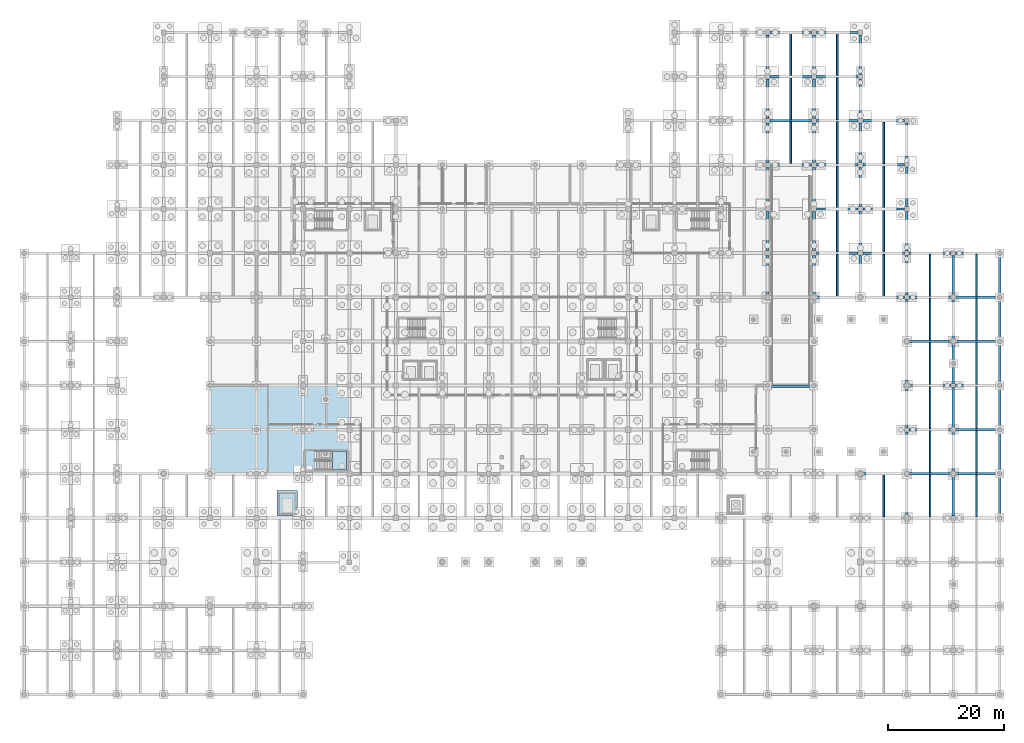
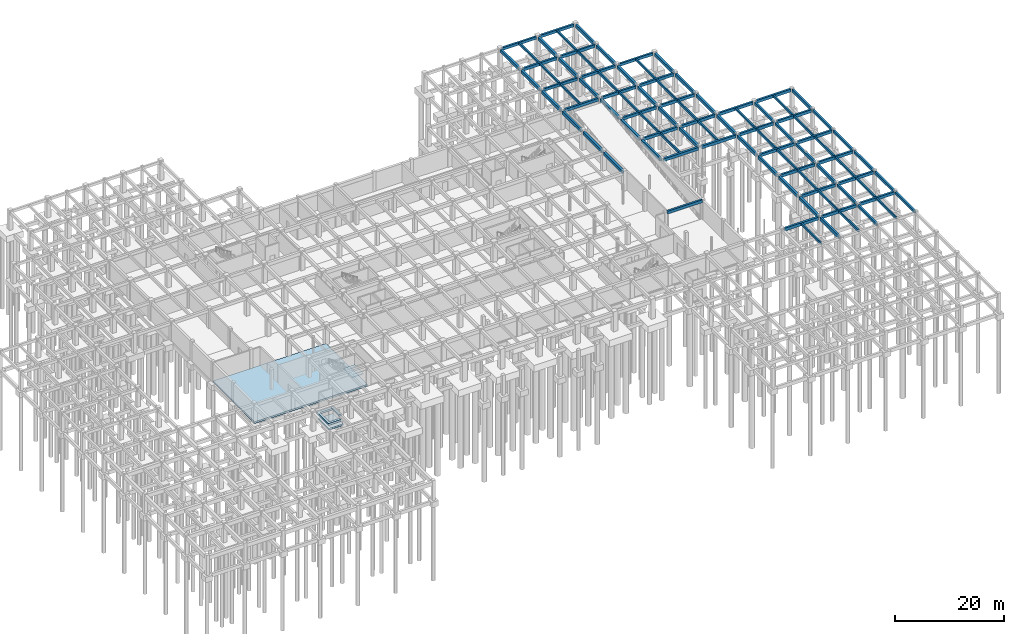
# One storey, part 32 of 49: 95 beams, 4 slabs, 1 element without a shape of its own.
"""IFC4 building model written with IfcOpenShell, lengths in metres."""

from ifc_helpers import new_model, si_unit, direction, frame, origin, origin_2d, place, context, subcontext, project, spatial, polyline, rectangle, outline, extrude, material, layer, layer_set, material_profile, profile_set, type_object, element, aggregate, save


model = new_model("IFC4")

# Units and contexts
model_context = context("Model", 3, precision=1e-05, world=origin(), true_north=direction((0.0, 1.0)))
body_context = subcontext(model_context, "Body", "Model", "MODEL_VIEW")
ifc_project = project(units=[si_unit("LENGTHUNIT", "METRE"), si_unit("AREAUNIT", "SQUARE_METRE"), si_unit("VOLUMEUNIT", "CUBIC_METRE"), si_unit("PLANEANGLEUNIT", "RADIAN"), si_unit("MASSUNIT", "GRAM", prefix="KILO")], contexts=[model_context])

# Site, building, storey
site_placement = place(None, origin())
site = spatial("IfcSite", under=ifc_project, at=site_placement, CompositionType="ELEMENT")
building_placement = place(site_placement, origin())
building = spatial("IfcBuilding", under=site, at=building_placement, Name="Zantavel Square City Hall", CompositionType="ELEMENT")
storey_placement = place(building_placement, frame((0.0, 0.0, -4.5)))
storey = spatial("IfcBuildingStorey", under=building, at=storey_placement, Name="B1", CompositionType="ELEMENT", Elevation=-4.5)

# Beams
ifc_material = material(Name="Concrete C35/45", Category="concrete")
ifc_material_profile_1 = material_profile(ifc_material, rectangle(XDim=0.449951171875, YDim=0.64990234375, at=origin_2d()), Name="RC 450x650")
ifc_profile_set_1 = profile_set([ifc_material_profile_1], Name="Concrete C35/45")
beam_type_1 = type_object("IfcBeamType", Name="Courtyard Cloister Girder RC 450x650 C35/45", PredefinedType="BEAM", material=ifc_profile_set_1)
for number, where, z_axis, x_axis, name in (
    (1, (136.375, 68.39990234375, 3.875), (1.0, 0.0, 0.0), (0.0, 1.0, 0.0), "B1 Girder BMX-B1-1360-0684"),
    (2, (144.375, 38.0, 3.875), (1.0, 0.0, 0.0), (0.0, 1.0, 0.0), "B1 Girder BMX-B1-1440-0380"),
    (3, (144.375, 68.39990234375, 3.875), (1.0, 0.0, 0.0), (0.0, 1.0, 0.0), "B1 Girder BMX-B1-1440-0684"),
):
    element("IfcBeam", number, at=place(storey_placement, frame(where, z_axis=z_axis, x_axis=x_axis)), inside=storey, type_object=beam_type_1, Name=name, PredefinedType="BEAM", context=body_context, shape_type="SweptSolid", body=[
        extrude(rectangle(XDim=0.449951171875, YDim=0.64990234375, at=origin_2d()), origin(), (0.0, 0.0, 1.0), 7.25),
    ])
ifc_material_profile_2 = material_profile(ifc_material, rectangle(XDim=0.300048828125, YDim=0.5, at=origin_2d()), Name="RC 300x500")
ifc_profile_set_2 = profile_set([ifc_material_profile_2], Name="Concrete C35/45")
beam_type_2 = type_object("IfcBeamType", Name="Floor Joist RC 300x500 C35/45", PredefinedType="JOIST", material=ifc_profile_set_2)
beam_1_placement = place(storey_placement, frame((132.0, 91.39990234375, 3.949951171875), z_axis=(0.0, 1.0, 0.0), x_axis=(-1.0, 0.0, 0.0)))
element("IfcBeam", 4, at=beam_1_placement, inside=storey, type_object=beam_type_2, Name="B1 Floor Joist JST-B1-1320-0912", PredefinedType="JOIST", context=body_context, shape_type="SweptSolid", body=[
    extrude(rectangle(XDim=0.300048828125, YDim=0.5, at=origin_2d()), origin(), (0.0, 0.0, 1.0), 7.2001953125),
])
for number, where, z_axis, x_axis, name in (
    (5, (132.0, 99.0, 3.949951171875), (0.0, 1.0, 0.0), (-1.0, 0.0, 0.0), "B1 Floor Joist JST-B1-1320-0988"),
    (6, (132.0, 106.60009765625, 3.949951171875), (0.0, 1.0, 0.0), (-1.0, 0.0, 0.0), "B1 Floor Joist JST-B1-1320-1064"),
):
    element("IfcBeam", number, at=place(storey_placement, frame(where, z_axis=z_axis, x_axis=x_axis)), inside=storey, type_object=beam_type_2, Name=name, PredefinedType="JOIST", context=body_context, shape_type="SweptSolid", body=[
        extrude(rectangle(XDim=0.300048828125, YDim=0.5, at=origin_2d()), origin(), (0.0, 0.0, 1.0), 7.199951171875),
    ])
beam_2_placement = place(storey_placement, frame((140.0, 68.625, 3.949951171875), z_axis=(0.0, 1.0, 0.0), x_axis=(-1.0, 0.0, 0.0)))
element("IfcBeam", 7, at=beam_2_placement, inside=storey, type_object=beam_type_2, Name="B1 Floor Joist JST-B1-1400-0684", PredefinedType="JOIST", context=body_context, shape_type="SweptSolid", body=[
    extrude(rectangle(XDim=0.300048828125, YDim=0.5, at=origin_2d()), origin(), (0.0, 0.0, 1.0), 7.175048828125),
])
for number, where, z_axis, x_axis, name in (
    (8, (140.0, 76.199951171875, 3.949951171875), (0.0, 1.0, 0.0), (-1.0, 0.0, 0.0), "B1 Floor Joist JST-B1-1400-0760"),
    (9, (140.0, 83.800048828125, 3.949951171875), (0.0, 1.0, 0.0), (-1.0, 0.0, 0.0), "B1 Floor Joist JST-B1-1400-0836"),
):
    element("IfcBeam", number, at=place(storey_placement, frame(where, z_axis=z_axis, x_axis=x_axis)), inside=storey, type_object=beam_type_2, Name=name, PredefinedType="JOIST", context=body_context, shape_type="SweptSolid", body=[
        extrude(rectangle(XDim=0.300048828125, YDim=0.5, at=origin_2d()), origin(), (0.0, 0.0, 1.0), 7.199951171875),
    ])
beam_3_placement = place(storey_placement, frame((140.0, 91.39990234375, 3.949951171875), z_axis=(0.0, 1.0, 0.0), x_axis=(-1.0, 0.0, 0.0)))
element("IfcBeam", 10, at=beam_3_placement, inside=storey, type_object=beam_type_2, Name="B1 Floor Joist JST-B1-1400-0912", PredefinedType="JOIST", context=body_context, shape_type="SweptSolid", body=[
    extrude(rectangle(XDim=0.300048828125, YDim=0.5, at=origin_2d()), origin(), (0.0, 0.0, 1.0), 7.2001953125),
])
for number, where, z_axis, x_axis, name in (
    (11, (140.0, 99.0, 3.949951171875), (0.0, 1.0, 0.0), (-1.0, 0.0, 0.0), "B1 Floor Joist JST-B1-1400-0988"),
    (12, (140.0, 106.60009765625, 3.949951171875), (0.0, 1.0, 0.0), (-1.0, 0.0, 0.0), "B1 Floor Joist JST-B1-1400-1064"),
):
    element("IfcBeam", number, at=place(storey_placement, frame(where, z_axis=z_axis, x_axis=x_axis)), inside=storey, type_object=beam_type_2, Name=name, PredefinedType="JOIST", context=body_context, shape_type="SweptSolid", body=[
        extrude(rectangle(XDim=0.300048828125, YDim=0.5, at=origin_2d()), origin(), (0.0, 0.0, 1.0), 7.199951171875),
    ])
beam_4_placement = place(storey_placement, frame((148.0, 30.60009765625, 3.949951171875), z_axis=(0.0, 1.0, 0.0), x_axis=(-1.0, 0.0, 0.0)))
element("IfcBeam", 13, at=beam_4_placement, inside=storey, type_object=beam_type_2, Name="B1 Floor Joist JST-B1-1480-0304", PredefinedType="JOIST", context=body_context, shape_type="SweptSolid", body=[
    extrude(rectangle(XDim=0.300048828125, YDim=0.5, at=origin_2d()), origin(), (0.0, 0.0, 1.0), 7.1748046875),
])
beam_5_placement = place(storey_placement, frame((148.0, 68.625, 3.949951171875), z_axis=(0.0, 1.0, 0.0), x_axis=(-1.0, 0.0, 0.0)))
element("IfcBeam", 14, at=beam_5_placement, inside=storey, type_object=beam_type_2, Name="B1 Floor Joist JST-B1-1480-0684", PredefinedType="JOIST", context=body_context, shape_type="SweptSolid", body=[
    extrude(rectangle(XDim=0.300048828125, YDim=0.5, at=origin_2d()), origin(), (0.0, 0.0, 1.0), 7.175048828125),
])
for number, where, z_axis, x_axis, name in (
    (15, (148.0, 76.199951171875, 3.949951171875), (0.0, 1.0, 0.0), (-1.0, 0.0, 0.0), "B1 Floor Joist JST-B1-1480-0760"),
    (16, (148.0, 83.800048828125, 3.949951171875), (0.0, 1.0, 0.0), (-1.0, 0.0, 0.0), "B1 Floor Joist JST-B1-1480-0836"),
):
    element("IfcBeam", number, at=place(storey_placement, frame(where, z_axis=z_axis, x_axis=x_axis)), inside=storey, type_object=beam_type_2, Name=name, PredefinedType="JOIST", context=body_context, shape_type="SweptSolid", body=[
        extrude(rectangle(XDim=0.300048828125, YDim=0.5, at=origin_2d()), origin(), (0.0, 0.0, 1.0), 7.199951171875),
    ])
beam_6_placement = place(storey_placement, frame((148.0, 91.39990234375, 3.949951171875), z_axis=(0.0, 1.0, 0.0), x_axis=(-1.0, 0.0, 0.0)))
element("IfcBeam", 17, at=beam_6_placement, inside=storey, type_object=beam_type_2, Name="B1 Floor Joist JST-B1-1480-0912", PredefinedType="JOIST", context=body_context, shape_type="SweptSolid", body=[
    extrude(rectangle(XDim=0.300048828125, YDim=0.5, at=origin_2d()), origin(), (0.0, 0.0, 1.0), 7.2001953125),
])
for number, where, z_axis, x_axis, name in (
    (18, (156.0, 30.60009765625, 3.949951171875), (0.0, 1.0, 0.0), (-1.0, 0.0, 0.0), "B1 Floor Joist JST-B1-1560-0304"),
    (19, (156.0, 38.199951171875, 3.949951171875), (0.0, 1.0, 0.0), (-1.0, 0.0, 0.0), "B1 Floor Joist JST-B1-1560-0380"),
    (20, (156.0, 45.800048828125, 3.949951171875), (0.0, 1.0, 0.0), (-1.0, 0.0, 0.0), "B1 Floor Joist JST-B1-1560-0456"),
):
    element("IfcBeam", number, at=place(storey_placement, frame(where, z_axis=z_axis, x_axis=x_axis)), inside=storey, type_object=beam_type_2, Name=name, PredefinedType="JOIST", context=body_context, shape_type="SweptSolid", body=[
        extrude(rectangle(XDim=0.300048828125, YDim=0.5, at=origin_2d()), origin(), (0.0, 0.0, 1.0), 7.199951171875),
    ])
beam_7_placement = place(storey_placement, frame((156.0, 53.39990234375, 3.949951171875), z_axis=(0.0, 1.0, 0.0), x_axis=(-1.0, 0.0, 0.0)))
element("IfcBeam", 21, at=beam_7_placement, inside=storey, type_object=beam_type_2, Name="B1 Floor Joist JST-B1-1560-0532", PredefinedType="JOIST", context=body_context, shape_type="SweptSolid", body=[
    extrude(rectangle(XDim=0.300048828125, YDim=0.5, at=origin_2d()), origin(), (0.0, 0.0, 1.0), 7.2001953125),
])
for number, where, z_axis, x_axis, name in (
    (22, (156.0, 61.0, 3.949951171875), (0.0, 1.0, 0.0), (-1.0, 0.0, 0.0), "B1 Floor Joist JST-B1-1560-0608"),
    (23, (156.0, 68.60009765625, 3.949951171875), (0.0, 1.0, 0.0), (-1.0, 0.0, 0.0), "B1 Floor Joist JST-B1-1560-0684"),
    (24, (164.0, 30.60009765625, 4.0), (0.0, 1.0, 0.0), (-1.0, 0.0, 0.0), "B1 Floor Joist JST-B1-1640-0304"),
    (25, (164.0, 38.199951171875, 4.0), (0.0, 1.0, 0.0), (-1.0, 0.0, 0.0), "B1 Floor Joist JST-B1-1640-0380"),
    (26, (164.0, 45.800048828125, 4.0), (0.0, 1.0, 0.0), (-1.0, 0.0, 0.0), "B1 Floor Joist JST-B1-1640-0456"),
):
    element("IfcBeam", number, at=place(storey_placement, frame(where, z_axis=z_axis, x_axis=x_axis)), inside=storey, type_object=beam_type_2, Name=name, PredefinedType="JOIST", context=body_context, shape_type="SweptSolid", body=[
        extrude(rectangle(XDim=0.300048828125, YDim=0.5, at=origin_2d()), origin(), (0.0, 0.0, 1.0), 7.199951171875),
    ])
beam_8_placement = place(storey_placement, frame((164.0, 53.39990234375, 4.0), z_axis=(0.0, 1.0, 0.0), x_axis=(-1.0, 0.0, 0.0)))
element("IfcBeam", 27, at=beam_8_placement, inside=storey, type_object=beam_type_2, Name="B1 Floor Joist JST-B1-1640-0532", PredefinedType="JOIST", context=body_context, shape_type="SweptSolid", body=[
    extrude(rectangle(XDim=0.300048828125, YDim=0.5, at=origin_2d()), origin(), (0.0, 0.0, 1.0), 7.2001953125),
])
for number, where, z_axis, x_axis, name in (
    (28, (164.0, 61.0, 4.0), (0.0, 1.0, 0.0), (-1.0, 0.0, 0.0), "B1 Floor Joist JST-B1-1640-0608"),
    (29, (164.0, 68.60009765625, 4.0), (0.0, 1.0, 0.0), (-1.0, 0.0, 0.0), "B1 Floor Joist JST-B1-1640-0684"),
):
    element("IfcBeam", number, at=place(storey_placement, frame(where, z_axis=z_axis, x_axis=x_axis)), inside=storey, type_object=beam_type_2, Name=name, PredefinedType="JOIST", context=body_context, shape_type="SweptSolid", body=[
        extrude(rectangle(XDim=0.300048828125, YDim=0.5, at=origin_2d()), origin(), (0.0, 0.0, 1.0), 7.199951171875),
    ])
ifc_material_profile_3 = material_profile(ifc_material, rectangle(XDim=0.39990234375, YDim=0.64990234375, at=origin_2d()), Name="RC 400x650")
ifc_profile_set_3 = profile_set([ifc_material_profile_3], Name="Concrete C35/45")
beam_type_3 = type_object("IfcBeamType", Name="Frame Beam RC 400x650 C35/45", PredefinedType="BEAM", material=ifc_profile_set_3)
for number, where, z_axis, x_axis, name in (
    (30, (128.425048828125, 91.199951171875, 3.875), (1.0, 0.0, 0.0), (0.0, 1.0, 0.0), "B1 Girder BMX-B1-1280-0912"),
    (31, (128.425048828125, 106.39990234375, 3.875), (1.0, 0.0, 0.0), (0.0, 1.0, 0.0), "B1 Girder BMX-B1-1280-1064"),
    (32, (136.425048828125, 76.0, 3.875), (1.0, 0.0, 0.0), (0.0, 1.0, 0.0), "B1 Girder BMX-B1-1360-0760"),
    (33, (136.425048828125, 83.60009765625, 3.875), (1.0, 0.0, 0.0), (0.0, 1.0, 0.0), "B1 Girder BMX-B1-1360-0836"),
    (34, (136.425048828125, 91.199951171875, 3.875), (1.0, 0.0, 0.0), (0.0, 1.0, 0.0), "B1 Girder BMX-B1-1360-0912"),
):
    element("IfcBeam", number, at=place(storey_placement, frame(where, z_axis=z_axis, x_axis=x_axis)), inside=storey, type_object=beam_type_3, Name=name, PredefinedType="BEAM", context=body_context, shape_type="SweptSolid", body=[
        extrude(rectangle(XDim=0.39990234375, YDim=0.64990234375, at=origin_2d()), origin(), (0.0, 0.0, 1.0), 7.14990234375),
    ])
for number, where, z_axis, x_axis, name in (
    (35, (136.425048828125, 106.39990234375, 3.875), (1.0, 0.0, 0.0), (0.0, 1.0, 0.0), "B1 Girder BMX-B1-1360-1064"),
    (36, (144.425048828125, 76.0, 3.875), (1.0, 0.0, 0.0), (0.0, 1.0, 0.0), "B1 Girder BMX-B1-1440-0760"),
    (37, (144.425048828125, 83.60009765625, 3.875), (1.0, 0.0, 0.0), (0.0, 1.0, 0.0), "B1 Girder BMX-B1-1440-0836"),
    (38, (144.425048828125, 91.199951171875, 3.875), (1.0, 0.0, 0.0), (0.0, 1.0, 0.0), "B1 Girder BMX-B1-1440-0912"),
):
    element("IfcBeam", number, at=place(storey_placement, frame(where, z_axis=z_axis, x_axis=x_axis)), inside=storey, type_object=beam_type_3, Name=name, PredefinedType="BEAM", context=body_context, shape_type="SweptSolid", body=[
        extrude(rectangle(XDim=0.39990234375, YDim=0.64990234375, at=origin_2d()), origin(), (0.0, 0.0, 1.0), 7.175048828125),
    ])
for number, where, z_axis, x_axis, name in (
    (39, (152.375, 38.0, 3.875), (1.0, 0.0, 0.0), (0.0, 1.0, 0.0), "B1 Girder BMX-B1-1520-0380"),
    (40, (152.375, 45.60009765625, 3.875), (1.0, 0.0, 0.0), (0.0, 1.0, 0.0), "B1 Girder BMX-B1-1520-0456"),
    (41, (152.375, 53.199951171875, 3.875), (1.0, 0.0, 0.0), (0.0, 1.0, 0.0), "B1 Girder BMX-B1-1520-0532"),
    (42, (152.375, 60.800048828125, 3.875), (1.0, 0.0, 0.0), (0.0, 1.0, 0.0), "B1 Girder BMX-B1-1520-0608"),
    (43, (152.375, 68.39990234375, 3.875), (1.0, 0.0, 0.0), (0.0, 1.0, 0.0), "B1 Girder BMX-B1-1520-0684"),
):
    element("IfcBeam", number, at=place(storey_placement, frame(where, z_axis=z_axis, x_axis=x_axis)), inside=storey, type_object=beam_type_3, Name=name, PredefinedType="BEAM", context=body_context, shape_type="SweptSolid", body=[
        extrude(rectangle(XDim=0.39990234375, YDim=0.64990234375, at=origin_2d()), origin(), (0.0, 0.0, 1.0), 7.25),
    ])
beam_9_placement = place(storey_placement, frame((152.39990234375, 76.0, 3.875), z_axis=(1.0, 0.0, 0.0), x_axis=(0.0, 1.0, 0.0)))
element("IfcBeam", 44, at=beam_9_placement, inside=storey, type_object=beam_type_3, Name="B1 Girder BMX-B1-1520-0760", PredefinedType="BEAM", context=body_context, shape_type="SweptSolid", body=[
    extrude(rectangle(XDim=0.39990234375, YDim=0.64990234375, at=origin_2d()), origin(), (0.0, 0.0, 1.0), 7.22509765625),
])
for number, where, z_axis, x_axis, name in (
    (45, (160.375, 38.0, 3.925048828125), (1.0, 0.0, 0.0), (0.0, 1.0, 0.0), "B1 Girder BMX-B1-1600-0380"),
    (46, (160.375, 45.60009765625, 3.925048828125), (1.0, 0.0, 0.0), (0.0, 1.0, 0.0), "B1 Girder BMX-B1-1600-0456"),
    (47, (160.375, 53.199951171875, 3.925048828125), (1.0, 0.0, 0.0), (0.0, 1.0, 0.0), "B1 Girder BMX-B1-1600-0532"),
    (48, (160.375, 60.800048828125, 3.925048828125), (1.0, 0.0, 0.0), (0.0, 1.0, 0.0), "B1 Girder BMX-B1-1600-0608"),
    (49, (160.375, 68.39990234375, 3.925048828125), (1.0, 0.0, 0.0), (0.0, 1.0, 0.0), "B1 Girder BMX-B1-1600-0684"),
    (50, (160.375, 76.0, 3.925048828125), (1.0, 0.0, 0.0), (0.0, 1.0, 0.0), "B1 Girder BMX-B1-1600-0760"),
):
    element("IfcBeam", number, at=place(storey_placement, frame(where, z_axis=z_axis, x_axis=x_axis)), inside=storey, type_object=beam_type_3, Name=name, PredefinedType="BEAM", context=body_context, shape_type="SweptSolid", body=[
        extrude(rectangle(XDim=0.39990234375, YDim=0.64990234375, at=origin_2d()), origin(), (0.0, 0.0, 1.0), 7.300048828125),
    ])
beam_10_placement = place(storey_placement, frame((128.300048828125, 53.10009765625, 4.175048828125), z_axis=(1.0, 0.0, 0.0), x_axis=(0.0, 1.0, 0.0)))
element("IfcBeam", 51, at=beam_10_placement, inside=storey, type_object=beam_type_3, Name="B1 Girder BMX-B1-1280-0532", PredefinedType="BEAM", context=body_context, shape_type="SweptSolid", body=[
    extrude(rectangle(XDim=0.39990234375, YDim=0.64990234375, at=origin_2d()), origin(), (0.0, 0.0, 1.0), 7.39990234375),
])
ifc_material_profile_4 = material_profile(ifc_material, rectangle(XDim=0.39990234375, YDim=0.60009765625, at=origin_2d()), Name="RC 400x600")
ifc_profile_set_4 = profile_set([ifc_material_profile_4], Name="Concrete C35/45")
beam_type_4 = type_object("IfcBeamType", Name="Perimeter Spandrel RC 400x600 C35/45", PredefinedType="SPANDREL", material=ifc_profile_set_4)
for number, where, z_axis, x_axis, name in (
    (52, (128.425048828125, 98.800048828125, 3.89990234375), (1.0, 0.0, 0.0), (0.0, 1.0, 0.0), "B1 Girder BMX-B1-1280-0988"),
    (53, (128.425048828125, 114.0, 3.89990234375), (1.0, 0.0, 0.0), (0.0, 1.0, 0.0), "B1 Girder BMX-B1-1280-1140"),
    (54, (136.425048828125, 98.800048828125, 3.89990234375), (1.0, 0.0, 0.0), (0.0, 1.0, 0.0), "B1 Girder BMX-B1-1360-0988"),
):
    element("IfcBeam", number, at=place(storey_placement, frame(where, z_axis=z_axis, x_axis=x_axis)), inside=storey, type_object=beam_type_4, Name=name, PredefinedType="SPANDREL", context=body_context, shape_type="SweptSolid", body=[
        extrude(rectangle(XDim=0.39990234375, YDim=0.60009765625, at=origin_2d()), origin(), (0.0, 0.0, 1.0), 7.14990234375),
    ])
for number, where, z_axis, x_axis, name in (
    (55, (136.425048828125, 114.0, 3.89990234375), (1.0, 0.0, 0.0), (0.0, 1.0, 0.0), "B1 Girder BMX-B1-1360-1140"),
    (56, (144.425048828125, 98.800048828125, 3.89990234375), (1.0, 0.0, 0.0), (0.0, 1.0, 0.0), "B1 Girder BMX-B1-1440-0988"),
):
    element("IfcBeam", number, at=place(storey_placement, frame(where, z_axis=z_axis, x_axis=x_axis)), inside=storey, type_object=beam_type_4, Name=name, PredefinedType="SPANDREL", context=body_context, shape_type="SweptSolid", body=[
        extrude(rectangle(XDim=0.39990234375, YDim=0.60009765625, at=origin_2d()), origin(), (0.0, 0.0, 1.0), 7.175048828125),
    ])
for number, where, z_axis, x_axis, name in (
    (57, (160.0, 30.77490234375, 3.89990234375), (0.0, 1.0, 0.0), (-1.0, 0.0, 0.0), "B1 Beam BMY-B1-1600-0304"),
    (58, (160.0, 38.375, 3.89990234375), (0.0, 1.0, 0.0), (-1.0, 0.0, 0.0), "B1 Beam BMY-B1-1600-0380"),
):
    element("IfcBeam", number, at=place(storey_placement, frame(where, z_axis=z_axis, x_axis=x_axis)), inside=storey, type_object=beam_type_4, Name=name, PredefinedType="SPANDREL", context=body_context, shape_type="SweptSolid", body=[
        extrude(rectangle(XDim=0.39990234375, YDim=0.60009765625, at=origin_2d()), origin(), (0.0, 0.0, 1.0), 6.85009765625),
    ])
beam_11_placement = place(storey_placement, frame((160.0, 45.97509765625, 3.89990234375), z_axis=(0.0, 1.0, 0.0), x_axis=(-1.0, 0.0, 0.0)))
element("IfcBeam", 59, at=beam_11_placement, inside=storey, type_object=beam_type_4, Name="B1 Beam BMY-B1-1600-0456", PredefinedType="SPANDREL", context=body_context, shape_type="SweptSolid", body=[
    extrude(rectangle(XDim=0.39990234375, YDim=0.60009765625, at=origin_2d()), origin(), (0.0, 0.0, 1.0), 6.849853515625),
])
beam_12_placement = place(storey_placement, frame((160.0, 53.574951171875, 3.89990234375), z_axis=(0.0, 1.0, 0.0), x_axis=(-1.0, 0.0, 0.0)))
element("IfcBeam", 60, at=beam_12_placement, inside=storey, type_object=beam_type_4, Name="B1 Beam BMY-B1-1600-0532", PredefinedType="SPANDREL", context=body_context, shape_type="SweptSolid", body=[
    extrude(rectangle(XDim=0.39990234375, YDim=0.60009765625, at=origin_2d()), origin(), (0.0, 0.0, 1.0), 6.85009765625),
])
beam_13_placement = place(storey_placement, frame((160.0, 61.175048828125, 3.89990234375), z_axis=(0.0, 1.0, 0.0), x_axis=(-1.0, 0.0, 0.0)))
element("IfcBeam", 61, at=beam_13_placement, inside=storey, type_object=beam_type_4, Name="B1 Beam BMY-B1-1600-0608", PredefinedType="SPANDREL", context=body_context, shape_type="SweptSolid", body=[
    extrude(rectangle(XDim=0.39990234375, YDim=0.60009765625, at=origin_2d()), origin(), (0.0, 0.0, 1.0), 6.849853515625),
])
beam_14_placement = place(storey_placement, frame((160.0, 68.77490234375, 3.89990234375), z_axis=(0.0, 1.0, 0.0), x_axis=(-1.0, 0.0, 0.0)))
element("IfcBeam", 62, at=beam_14_placement, inside=storey, type_object=beam_type_4, Name="B1 Beam BMY-B1-1600-0684", PredefinedType="SPANDREL", context=body_context, shape_type="SweptSolid", body=[
    extrude(rectangle(XDim=0.39990234375, YDim=0.60009765625, at=origin_2d()), origin(), (0.0, 0.0, 1.0), 6.85009765625),
])
for number, where, z_axis, x_axis, name in (
    (63, (168.0, 30.72509765625, 3.949951171875), (0.0, 1.0, 0.0), (-1.0, 0.0, 0.0), "B1 Beam BMY-B1-1680-0304"),
    (64, (168.0, 38.324951171875, 3.949951171875), (0.0, 1.0, 0.0), (-1.0, 0.0, 0.0), "B1 Beam BMY-B1-1680-0380"),
    (65, (168.0, 45.925048828125, 3.949951171875), (0.0, 1.0, 0.0), (-1.0, 0.0, 0.0), "B1 Beam BMY-B1-1680-0456"),
):
    element("IfcBeam", number, at=place(storey_placement, frame(where, z_axis=z_axis, x_axis=x_axis)), inside=storey, type_object=beam_type_4, Name=name, PredefinedType="SPANDREL", context=body_context, shape_type="SweptSolid", body=[
        extrude(rectangle(XDim=0.39990234375, YDim=0.60009765625, at=origin_2d()), origin(), (0.0, 0.0, 1.0), 6.949951171875),
    ])
beam_15_placement = place(storey_placement, frame((168.0, 53.52490234375, 3.949951171875), z_axis=(0.0, 1.0, 0.0), x_axis=(-1.0, 0.0, 0.0)))
element("IfcBeam", 66, at=beam_15_placement, inside=storey, type_object=beam_type_4, Name="B1 Beam BMY-B1-1680-0532", PredefinedType="SPANDREL", context=body_context, shape_type="SweptSolid", body=[
    extrude(rectangle(XDim=0.39990234375, YDim=0.60009765625, at=origin_2d()), origin(), (0.0, 0.0, 1.0), 6.9501953125),
])
for number, where, z_axis, x_axis, name in (
    (67, (168.0, 61.125, 3.949951171875), (0.0, 1.0, 0.0), (-1.0, 0.0, 0.0), "B1 Beam BMY-B1-1680-0608"),
    (68, (168.0, 68.72509765625, 3.949951171875), (0.0, 1.0, 0.0), (-1.0, 0.0, 0.0), "B1 Beam BMY-B1-1680-0684"),
):
    element("IfcBeam", number, at=place(storey_placement, frame(where, z_axis=z_axis, x_axis=x_axis)), inside=storey, type_object=beam_type_4, Name=name, PredefinedType="SPANDREL", context=body_context, shape_type="SweptSolid", body=[
        extrude(rectangle(XDim=0.39990234375, YDim=0.60009765625, at=origin_2d()), origin(), (0.0, 0.0, 1.0), 6.949951171875),
    ])
ifc_material_profile_5 = material_profile(ifc_material, rectangle(XDim=0.449951171875, YDim=0.699951171875, at=origin_2d()), Name="RC 450x700")
ifc_profile_set_5 = profile_set([ifc_material_profile_5], Name="Concrete C35/45")
beam_type_5 = type_object("IfcBeamType", Name="Primary Girder RC 450x700 C35/45", PredefinedType="BEAM", material=ifc_profile_set_5)
beam_16_placement = place(storey_placement, frame((128.0, 68.77490234375, 3.85009765625), z_axis=(0.0, 1.0, 0.0), x_axis=(-1.0, 0.0, 0.0)))
element("IfcBeam", 69, at=beam_16_placement, inside=storey, type_object=beam_type_5, Name="B1 Beam BMY-B1-1280-0684", PredefinedType="BEAM", context=body_context, shape_type="SweptSolid", body=[
    extrude(rectangle(XDim=0.449951171875, YDim=0.699951171875, at=origin_2d()), origin(), (0.0, 0.0, 1.0), 6.800048828125),
])
for number, where, z_axis, x_axis, name in (
    (70, (128.0, 76.425048828125, 3.85009765625), (0.0, 1.0, 0.0), (-1.0, 0.0, 0.0), "B1 Beam BMY-B1-1280-0760"),
    (71, (128.0, 84.02490234375, 3.85009765625), (0.0, 1.0, 0.0), (-1.0, 0.0, 0.0), "B1 Beam BMY-B1-1280-0836"),
    (72, (128.0, 91.625, 3.85009765625), (0.0, 1.0, 0.0), (-1.0, 0.0, 0.0), "B1 Beam BMY-B1-1280-0912"),
    (73, (128.0, 99.22509765625, 3.85009765625), (0.0, 1.0, 0.0), (-1.0, 0.0, 0.0), "B1 Beam BMY-B1-1280-0988"),
    (74, (128.0, 106.824951171875, 3.85009765625), (0.0, 1.0, 0.0), (-1.0, 0.0, 0.0), "B1 Beam BMY-B1-1280-1064"),
):
    element("IfcBeam", number, at=place(storey_placement, frame(where, z_axis=z_axis, x_axis=x_axis)), inside=storey, type_object=beam_type_5, Name=name, PredefinedType="BEAM", context=body_context, shape_type="SweptSolid", body=[
        extrude(rectangle(XDim=0.449951171875, YDim=0.699951171875, at=origin_2d()), origin(), (0.0, 0.0, 1.0), 6.75),
    ])
beam_17_placement = place(storey_placement, frame((136.0, 68.77490234375, 3.85009765625), z_axis=(0.0, 1.0, 0.0), x_axis=(-1.0, 0.0, 0.0)))
element("IfcBeam", 75, at=beam_17_placement, inside=storey, type_object=beam_type_5, Name="B1 Beam BMY-B1-1360-0684", PredefinedType="BEAM", context=body_context, shape_type="SweptSolid", body=[
    extrude(rectangle(XDim=0.449951171875, YDim=0.699951171875, at=origin_2d()), origin(), (0.0, 0.0, 1.0), 6.800048828125),
])
for number, where, z_axis, x_axis, name in (
    (76, (136.0, 76.425048828125, 3.85009765625), (0.0, 1.0, 0.0), (-1.0, 0.0, 0.0), "B1 Beam BMY-B1-1360-0760"),
    (77, (136.0, 84.02490234375, 3.85009765625), (0.0, 1.0, 0.0), (-1.0, 0.0, 0.0), "B1 Beam BMY-B1-1360-0836"),
    (78, (136.0, 91.625, 3.85009765625), (0.0, 1.0, 0.0), (-1.0, 0.0, 0.0), "B1 Beam BMY-B1-1360-0912"),
    (79, (136.0, 99.22509765625, 3.85009765625), (0.0, 1.0, 0.0), (-1.0, 0.0, 0.0), "B1 Beam BMY-B1-1360-0988"),
    (80, (136.0, 106.824951171875, 3.85009765625), (0.0, 1.0, 0.0), (-1.0, 0.0, 0.0), "B1 Beam BMY-B1-1360-1064"),
):
    element("IfcBeam", number, at=place(storey_placement, frame(where, z_axis=z_axis, x_axis=x_axis)), inside=storey, type_object=beam_type_5, Name=name, PredefinedType="BEAM", context=body_context, shape_type="SweptSolid", body=[
        extrude(rectangle(XDim=0.449951171875, YDim=0.699951171875, at=origin_2d()), origin(), (0.0, 0.0, 1.0), 6.75),
    ])
beam_18_placement = place(storey_placement, frame((144.0, 68.77490234375, 3.85009765625), z_axis=(0.0, 1.0, 0.0), x_axis=(-1.0, 0.0, 0.0)))
element("IfcBeam", 81, at=beam_18_placement, inside=storey, type_object=beam_type_5, Name="B1 Beam BMY-B1-1440-0684", PredefinedType="BEAM", context=body_context, shape_type="SweptSolid", body=[
    extrude(rectangle(XDim=0.449951171875, YDim=0.699951171875, at=origin_2d()), origin(), (0.0, 0.0, 1.0), 6.800048828125),
])
for number, where, z_axis, x_axis, name in (
    (82, (144.0, 76.425048828125, 3.85009765625), (0.0, 1.0, 0.0), (-1.0, 0.0, 0.0), "B1 Beam BMY-B1-1440-0760"),
    (83, (144.0, 84.02490234375, 3.85009765625), (0.0, 1.0, 0.0), (-1.0, 0.0, 0.0), "B1 Beam BMY-B1-1440-0836"),
    (84, (144.0, 91.625, 3.85009765625), (0.0, 1.0, 0.0), (-1.0, 0.0, 0.0), "B1 Beam BMY-B1-1440-0912"),
):
    element("IfcBeam", number, at=place(storey_placement, frame(where, z_axis=z_axis, x_axis=x_axis)), inside=storey, type_object=beam_type_5, Name=name, PredefinedType="BEAM", context=body_context, shape_type="SweptSolid", body=[
        extrude(rectangle(XDim=0.449951171875, YDim=0.699951171875, at=origin_2d()), origin(), (0.0, 0.0, 1.0), 6.75),
    ])
beam_19_placement = place(storey_placement, frame((144.0, 99.22509765625, 3.85009765625), z_axis=(0.0, 1.0, 0.0), x_axis=(-1.0, 0.0, 0.0)))
element("IfcBeam", 85, at=beam_19_placement, inside=storey, type_object=beam_type_5, Name="B1 Beam BMY-B1-1440-0988", PredefinedType="BEAM", context=body_context, shape_type="SweptSolid", body=[
    extrude(rectangle(XDim=0.449951171875, YDim=0.699951171875, at=origin_2d()), origin(), (0.0, 0.0, 1.0), 6.77490234375),
])
beam_20_placement = place(storey_placement, frame((144.0, 106.800048828125, 3.85009765625), z_axis=(0.0, 1.0, 0.0), x_axis=(-1.0, 0.0, 0.0)))
element("IfcBeam", 86, at=beam_20_placement, inside=storey, type_object=beam_type_5, Name="B1 Beam BMY-B1-1440-1064", PredefinedType="BEAM", context=body_context, shape_type="SweptSolid", body=[
    extrude(rectangle(XDim=0.449951171875, YDim=0.699951171875, at=origin_2d()), origin(), (0.0, 0.0, 1.0), 6.800048828125),
])
for number, where, z_axis, x_axis, name in (
    (87, (152.0, 30.77490234375, 3.85009765625), (0.0, 1.0, 0.0), (-1.0, 0.0, 0.0), "B1 Beam BMY-B1-1520-0304"),
    (88, (152.0, 38.375, 3.85009765625), (0.0, 1.0, 0.0), (-1.0, 0.0, 0.0), "B1 Beam BMY-B1-1520-0380"),
):
    element("IfcBeam", number, at=place(storey_placement, frame(where, z_axis=z_axis, x_axis=x_axis)), inside=storey, type_object=beam_type_5, Name=name, PredefinedType="BEAM", context=body_context, shape_type="SweptSolid", body=[
        extrude(rectangle(XDim=0.449951171875, YDim=0.699951171875, at=origin_2d()), origin(), (0.0, 0.0, 1.0), 6.85009765625),
    ])
beam_21_placement = place(storey_placement, frame((152.0, 45.97509765625, 3.85009765625), z_axis=(0.0, 1.0, 0.0), x_axis=(-1.0, 0.0, 0.0)))
element("IfcBeam", 89, at=beam_21_placement, inside=storey, type_object=beam_type_5, Name="B1 Beam BMY-B1-1520-0456", PredefinedType="BEAM", context=body_context, shape_type="SweptSolid", body=[
    extrude(rectangle(XDim=0.449951171875, YDim=0.699951171875, at=origin_2d()), origin(), (0.0, 0.0, 1.0), 6.849853515625),
])
beam_22_placement = place(storey_placement, frame((152.0, 53.574951171875, 3.85009765625), z_axis=(0.0, 1.0, 0.0), x_axis=(-1.0, 0.0, 0.0)))
element("IfcBeam", 90, at=beam_22_placement, inside=storey, type_object=beam_type_5, Name="B1 Beam BMY-B1-1520-0532", PredefinedType="BEAM", context=body_context, shape_type="SweptSolid", body=[
    extrude(rectangle(XDim=0.449951171875, YDim=0.699951171875, at=origin_2d()), origin(), (0.0, 0.0, 1.0), 6.85009765625),
])
beam_23_placement = place(storey_placement, frame((152.0, 61.175048828125, 3.85009765625), z_axis=(0.0, 1.0, 0.0), x_axis=(-1.0, 0.0, 0.0)))
element("IfcBeam", 91, at=beam_23_placement, inside=storey, type_object=beam_type_5, Name="B1 Beam BMY-B1-1520-0608", PredefinedType="BEAM", context=body_context, shape_type="SweptSolid", body=[
    extrude(rectangle(XDim=0.449951171875, YDim=0.699951171875, at=origin_2d()), origin(), (0.0, 0.0, 1.0), 6.849853515625),
])
beam_24_placement = place(storey_placement, frame((152.0, 68.77490234375, 3.85009765625), z_axis=(0.0, 1.0, 0.0), x_axis=(-1.0, 0.0, 0.0)))
element("IfcBeam", 92, at=beam_24_placement, inside=storey, type_object=beam_type_5, Name="B1 Beam BMY-B1-1520-0684", PredefinedType="BEAM", context=body_context, shape_type="SweptSolid", body=[
    extrude(rectangle(XDim=0.449951171875, YDim=0.699951171875, at=origin_2d()), origin(), (0.0, 0.0, 1.0), 6.8251953125),
])
for number, where, z_axis, x_axis, name in (
    (93, (152.0, 76.39990234375, 3.85009765625), (0.0, 1.0, 0.0), (-1.0, 0.0, 0.0), "B1 Beam BMY-B1-1520-0760"),
    (94, (152.0, 84.0, 3.85009765625), (0.0, 1.0, 0.0), (-1.0, 0.0, 0.0), "B1 Beam BMY-B1-1520-0836"),
):
    element("IfcBeam", number, at=place(storey_placement, frame(where, z_axis=z_axis, x_axis=x_axis)), inside=storey, type_object=beam_type_5, Name=name, PredefinedType="BEAM", context=body_context, shape_type="SweptSolid", body=[
        extrude(rectangle(XDim=0.449951171875, YDim=0.699951171875, at=origin_2d()), origin(), (0.0, 0.0, 1.0), 6.800048828125),
    ])
beam_25_placement = place(storey_placement, frame((152.0, 91.60009765625, 3.85009765625), z_axis=(0.0, 1.0, 0.0), x_axis=(-1.0, 0.0, 0.0)))
element("IfcBeam", 95, at=beam_25_placement, inside=storey, type_object=beam_type_5, Name="B1 Beam BMY-B1-1520-0912", PredefinedType="BEAM", context=body_context, shape_type="SweptSolid", body=[
    extrude(rectangle(XDim=0.449951171875, YDim=0.699951171875, at=origin_2d()), origin(), (0.0, 0.0, 1.0), 6.7998046875),
])

# Slabs
ifc_layer_1 = layer(ifc_material, 0.39990234375, Name="Concrete C35/45")
ifc_layer_set_1 = layer_set([ifc_layer_1], Name="Concrete C35/45")
slab_type_1 = type_object("IfcSlabType", Name="Basement Mat and Pit Base Slab C35/45", PredefinedType="BASESLAB", material=ifc_layer_set_1)
slab_1_placement = place(storey_placement, frame((0.0, 0.0, -0.39990234375)))
element("IfcSlab", 96, at=slab_1_placement, inside=storey, type_object=slab_type_1, Name="B1 Floor Slab SLB-B1-BOX-01", PredefinedType="BASESLAB", context=body_context, shape_type="SweptSolid", body=[
    extrude(outline(polyline([(32.0, 38.0), (32.0, 53.199951171875), (56.0, 53.199951171875), (56.0, 38.0), (32.0, 38.0)])), origin(), (0.0, 0.0, 1.0), 0.39990234375),
])
slab_2_placement = place(storey_placement, frame((0.0, 0.0, -0.39990234375)))
element("IfcSlab", 97, at=slab_2_placement, inside=storey, type_object=slab_type_1, Name="B1 Lift LF08 Foundation Base Collar Slab", PredefinedType="BASESLAB", context=body_context, shape_type="SweptSolid", body=[
    extrude(outline(polyline([(47.10009765625, 35.10009765625), (47.10009765625, 32.199951171875), (46.60009765625, 32.199951171875), (46.60009765625, 34.60009765625), (44.0, 34.60009765625), (44.0, 31.199951171875), (46.199951171875, 31.199951171875), (46.199951171875, 30.699951171875), (43.5, 30.699951171875), (43.5, 35.10009765625), (47.10009765625, 35.10009765625)])), origin(), (0.0, 0.0, 1.0), 0.39990234375),
])
slab_3_placement = place(storey_placement, frame((0.0, 0.0, -1.699951171875)))
element("IfcSlab", 98, at=slab_3_placement, inside=storey, type_object=slab_type_1, Name="Lift LF08 Pit Base Slab", PredefinedType="BASESLAB", context=body_context, shape_type="SweptSolid", body=[
    extrude(outline(polyline([(43.75, 30.949951171875), (46.85009765625, 30.949951171875), (46.85009765625, 34.85009765625), (43.75, 34.85009765625), (43.75, 30.949951171875)])), origin(), (0.0, 0.0, 1.0), 0.349853515625),
])

# Stair, slab
stair_type = type_object("IfcStairType", Name="Enclosed Core Dogleg Stair B1 H4500", PredefinedType="HALF_TURN_STAIR", material=ifc_material)
stair_placement = place(storey_placement, origin())
stair = element("IfcStair", 99, at=stair_placement, inside=storey, type_object=stair_type, Name="B1 Exit Stair 3 West Pavilion Core", PredefinedType="HALF_TURN_STAIR")
ifc_layer_2 = layer(ifc_material, 0.2099609375, Name="Concrete C35/45")
ifc_layer_set_2 = layer_set([ifc_layer_2], Name="Concrete C35/45")
slab_type_2 = type_object("IfcSlabType", Name="Core Stair Half-Landing Slab C35/45", PredefinedType="LANDING", material=ifc_layer_set_2)
slab_4_placement = place(storey_placement, frame((0.0, 0.0, 2.050048828125)))
slab_4 = element("IfcSlab", 100, at=slab_4_placement, type_object=slab_type_2, Name="ST3 landing 1", PredefinedType="LANDING", context=body_context, shape_type="SweptSolid", body=[
    extrude(outline(polyline([(53.110107421875, 38.64990234375), (55.530029296875, 38.64990234375), (55.530029296875, 41.919921875), (53.110107421875, 41.919921875), (53.110107421875, 38.64990234375)])), origin(), (0.0, 0.0, 1.0), 0.199951171875),
])
aggregate(stair, [slab_4])

save(model, "model.ifc")
